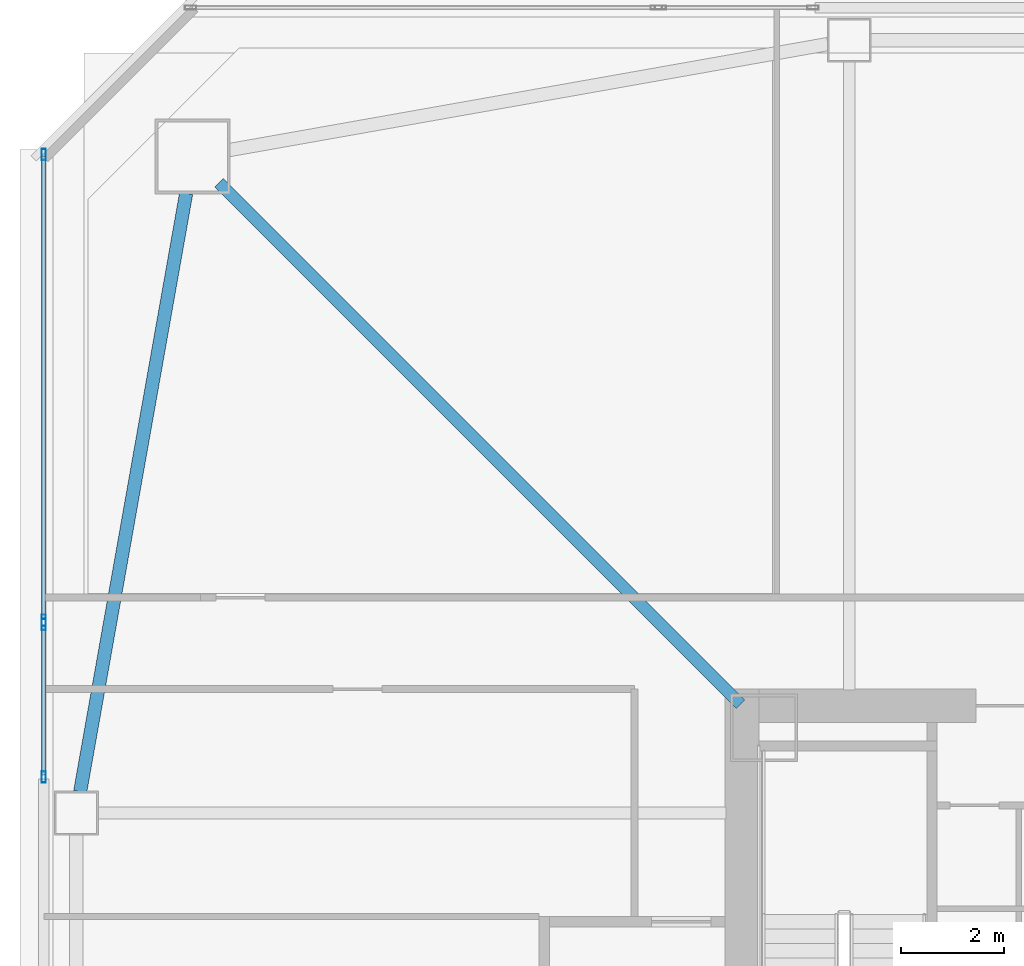
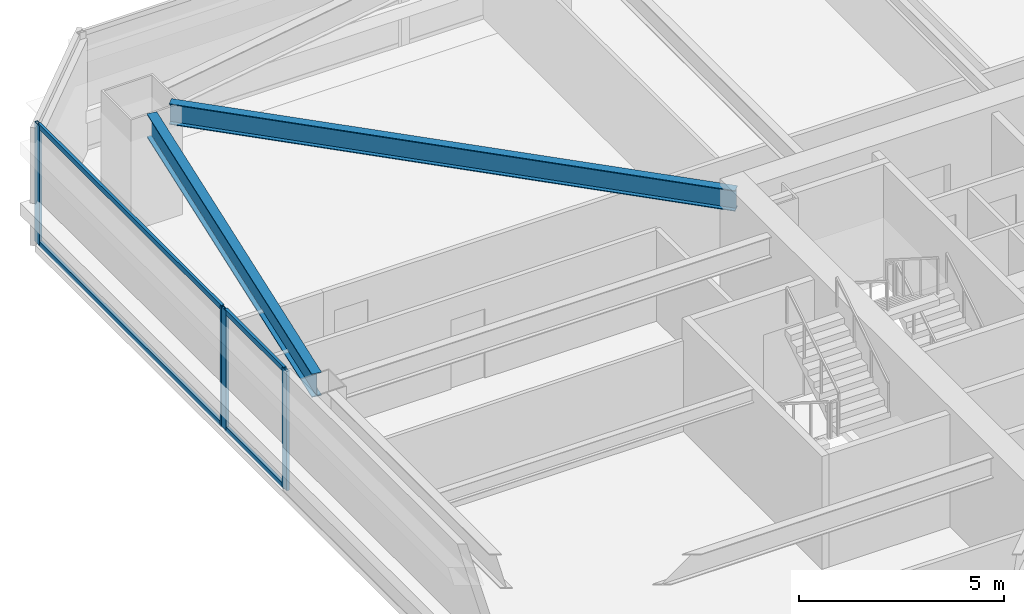
# One storey, part 11 of 44: 8 members, 2 beams, 2 elements without a shape of their own.
"""IFC4 building model written with IfcOpenShell, lengths in metres."""

from ifc_helpers import new_model, si_unit, direction, frame, origin, origin_2d, place, context, subcontext, project, spatial, hollow_rectangle, i_section, extrude, material, material_profile, profile_set, type_object, element, aggregate, save


model = new_model("IFC4")

# Units and contexts
model_context = context("Model", 3, precision=1e-05, world=origin(), true_north=direction((0.0, 1.0)))
body_context = subcontext(model_context, "Body", "Model", "MODEL_VIEW")
ifc_project = project(units=[si_unit("LENGTHUNIT", "METRE"), si_unit("AREAUNIT", "SQUARE_METRE"), si_unit("VOLUMEUNIT", "CUBIC_METRE"), si_unit("PLANEANGLEUNIT", "RADIAN"), si_unit("MASSUNIT", "GRAM", prefix="KILO")], contexts=[model_context])

# Site, building, storey
site_placement = place(None, origin())
site = spatial("IfcSite", under=ifc_project, at=site_placement, CompositionType="ELEMENT")
building_placement = place(site_placement, origin())
building = spatial("IfcBuilding", under=site, at=building_placement, Name="Tashvorn Skyway Center", CompositionType="ELEMENT")
storey_placement = place(building_placement, frame((0.0, 0.0, 102.699951171875)))
storey = spatial("IfcBuildingStorey", under=building, at=storey_placement, Name="L27", CompositionType="ELEMENT", Elevation=102.699951171875)

# Beams
ifc_material_1 = material(Name="Steel ASTM A992 Grade 50", Category="steel")
ifc_material_profile_1 = material_profile(ifc_material_1, i_section(OverallWidth=0.22998046875, OverallDepth=0.616943359375, WebThickness=0.01318359375, FlangeThickness=0.022216796875, at=origin_2d()), Name="W24X94")
ifc_profile_set_1 = profile_set([ifc_material_profile_1], Name="Steel ASTM A992 Grade 50")
beam_type_1 = type_object("IfcBeamType", Name="BM-BEAM-W24X94", PredefinedType="BEAM", material=ifc_profile_set_1)
beam_1_placement = place(storey_placement, frame((24.4091796875, 49.5908203125, 3.04150390625), z_axis=(0.707106781187, -0.707106781187, 0.0), x_axis=(0.707106781187, 0.707106781187, 0.0)))
element("IfcBeam", 1, at=beam_1_placement, inside=storey, type_object=beam_type_1, Name="Tower 1 L27 Primary Floor Girder MC-NW", PredefinedType="BEAM", context=body_context, shape_type="SweptSolid", body=[
    extrude(i_section(OverallWidth=0.22998046875, OverallDepth=0.616943359375, WebThickness=0.01318359375, FlangeThickness=0.022216796875, at=origin_2d()), origin(), (0.0, 0.0, 1.0), 14.261962890625),
])
ifc_material_profile_2 = material_profile(ifc_material_1, i_section(OverallWidth=0.256103515625, OverallDepth=0.693115234375, WebThickness=0.014404296875, FlangeThickness=0.023681640625, at=origin_2d()), Name="W27X114")
ifc_profile_set_2 = profile_set([ifc_material_profile_2], Name="Steel ASTM A992 Grade 50")
beam_type_2 = type_object("IfcBeamType", Name="BM-SPANDREL-W27X114", PredefinedType="SPANDREL", material=ifc_profile_set_2)
beam_2_placement = place(storey_placement, frame((23.7744140625, 49.39111328125, 3.003662109375), z_axis=(-0.174437966698, -0.98466816531, 0.0), x_axis=(0.98466816531, -0.174437966698, 0.0)))
element("IfcBeam", 2, at=beam_2_placement, inside=storey, type_object=beam_type_2, Name="Tower 1 L27 Spandrel Beam 10", PredefinedType="SPANDREL", context=body_context, shape_type="SweptSolid", body=[
    extrude(i_section(OverallWidth=0.256103515625, OverallDepth=0.693115234375, WebThickness=0.014404296875, FlangeThickness=0.023681640625, at=origin_2d()), origin(), (0.0, 0.0, 1.0), 11.7578125),
])

# Curtain wall, members
ifc_material_2 = material(Name="Thermally broken bronze-anodized aluminium 6063-T6", Category="aluminium")
curtain_wall_type = type_object("IfcCurtainWallType", Name="CW-CW-Z2", PredefinedType="NOTDEFINED", material=ifc_material_2)
curtain_wall_1_placement = place(storey_placement, origin())
curtain_wall_1 = element("IfcCurtainWall", 3, at=curtain_wall_1_placement, inside=storey, type_object=curtain_wall_type, Name="Tower 1 L27 West Unitised Curtain Wall Glazing Group 3", PredefinedType="NOTDEFINED")
ifc_material_profile_3 = material_profile(ifc_material_2, hollow_rectangle(XDim=0.080078125, YDim=0.219970703125, WallThickness=0.0048828125, at=origin_2d()), Name="ALU-MULL-80x220")
ifc_profile_set_3 = profile_set([ifc_material_profile_3], Name="Thermally broken bronze-anodized aluminium 6063-T6")
member_type_1 = type_object("IfcMemberType", Name="CWM-CW-Z2", PredefinedType="MULLION", material=ifc_profile_set_3)
member_1_placement = place(storey_placement, frame((21.02001953125, 38.10009765625, 0.0), z_axis=(0.0, 0.0, 1.0), x_axis=(-1.0, 0.0, 0.0)))
member_1 = element("IfcMember", 4, at=member_1_placement, type_object=member_type_1, Name="CW-Z2 mullion 1", PredefinedType="MULLION", context=body_context, shape_type="SweptSolid", body=[
    extrude(hollow_rectangle(XDim=0.080078125, YDim=0.219970703125, WallThickness=0.0048828125, at=origin_2d()), origin(), (0.0, 0.0, 1.0), 3.550048828125),
])
member_2_placement = place(storey_placement, frame((21.02001953125, 41.050048828125, 0.0), z_axis=(0.0, 0.0, 1.0), x_axis=(-1.0, 0.0, 0.0)))
member_2 = element("IfcMember", 5, at=member_2_placement, type_object=member_type_1, Name="CW-Z2 mullion 2", PredefinedType="MULLION", context=body_context, shape_type="SweptSolid", body=[
    extrude(hollow_rectangle(XDim=0.080078125, YDim=0.219970703125, WallThickness=0.0048828125, at=origin_2d()), origin(), (0.0, 0.0, 1.0), 3.550048828125),
])

curtain_wall_2_placement = place(storey_placement, origin())
curtain_wall_2 = element("IfcCurtainWall", 6, at=curtain_wall_2_placement, inside=storey, type_object=curtain_wall_type, Name="Tower 1 L27 West Unitised Curtain Wall Glazing Group 4", PredefinedType="NOTDEFINED")
member_3_placement = place(storey_placement, frame((21.02001953125, 41.1298828125, 0.0), z_axis=(0.0, 0.0, 1.0), x_axis=(-1.0, 0.0, 0.0)))
member_3 = element("IfcMember", 7, at=member_3_placement, type_object=member_type_1, Name="CW-Z2 mullion 1", PredefinedType="MULLION", context=body_context, shape_type="SweptSolid", body=[
    extrude(hollow_rectangle(XDim=0.080078125, YDim=0.219970703125, WallThickness=0.0048828125, at=origin_2d()), origin(), (0.0, 0.0, 1.0), 3.550048828125),
])
member_4_placement = place(storey_placement, frame((21.02001953125, 50.139892578125, 0.0), z_axis=(0.0, 0.0, 1.0), x_axis=(-1.0, 0.0, 0.0)))
member_4 = element("IfcMember", 8, at=member_4_placement, type_object=member_type_1, Name="CW-Z2 mullion 2", PredefinedType="MULLION", context=body_context, shape_type="SweptSolid", body=[
    extrude(hollow_rectangle(XDim=0.080078125, YDim=0.219970703125, WallThickness=0.0048828125, at=origin_2d()), origin(), (0.0, 0.0, 1.0), 3.550048828125),
])

# Member
ifc_material_profile_4 = material_profile(ifc_material_2, hollow_rectangle(XDim=0.080078125, YDim=0.14990234375, WallThickness=0.00439453125, at=origin_2d()), Name="ALU-TRAN-80x150")
ifc_profile_set_4 = profile_set([ifc_material_profile_4], Name="Thermally broken bronze-anodized aluminium 6063-T6")
member_type_2 = type_object("IfcMemberType", Name="CWT-CW-Z2", PredefinedType="USERDEFINED", material=ifc_profile_set_4)
member_5_placement = place(storey_placement, frame((21.02001953125, 38.139892578125, 0.0400390625), z_axis=(0.0, 1.0, 0.0), x_axis=(-1.0, 0.0, 0.0)))
member_5 = element("IfcMember", 9, at=member_5_placement, type_object=member_type_2, Name="CW-Z2 transom 1.1", ObjectType="TRANSOM", PredefinedType="USERDEFINED", context=body_context, shape_type="SweptSolid", body=[
    extrude(hollow_rectangle(XDim=0.080078125, YDim=0.14990234375, WallThickness=0.00439453125, at=origin_2d()), origin(), (0.0, 0.0, 1.0), 2.8701171875),
])

member_6_placement = place(storey_placement, frame((21.02001953125, 38.139892578125, 3.510009765625), z_axis=(0.0, 1.0, 0.0), x_axis=(-1.0, 0.0, 0.0)))
member_6 = element("IfcMember", 10, at=member_6_placement, type_object=member_type_2, Name="CW-Z2 transom 1.2", ObjectType="TRANSOM", PredefinedType="USERDEFINED", context=body_context, shape_type="SweptSolid", body=[
    extrude(hollow_rectangle(XDim=0.080078125, YDim=0.14990234375, WallThickness=0.00439453125, at=origin_2d()), origin(), (0.0, 0.0, 1.0), 2.8701171875),
])

aggregate(curtain_wall_1, [member_1, member_2, member_5, member_6])

member_7_placement = place(storey_placement, frame((21.02001953125, 41.169921875, 0.0400390625), z_axis=(0.0, 1.0, 0.0), x_axis=(-1.0, 0.0, 0.0)))
member_7 = element("IfcMember", 11, at=member_7_placement, type_object=member_type_2, Name="CW-Z2 transom 1.1", ObjectType="TRANSOM", PredefinedType="USERDEFINED", context=body_context, shape_type="SweptSolid", body=[
    extrude(hollow_rectangle(XDim=0.080078125, YDim=0.14990234375, WallThickness=0.00439453125, at=origin_2d()), origin(), (0.0, 0.0, 1.0), 8.93017578125),
])

member_8_placement = place(storey_placement, frame((21.02001953125, 41.169921875, 3.510009765625), z_axis=(0.0, 1.0, 0.0), x_axis=(-1.0, 0.0, 0.0)))
member_8 = element("IfcMember", 12, at=member_8_placement, type_object=member_type_2, Name="CW-Z2 transom 1.2", ObjectType="TRANSOM", PredefinedType="USERDEFINED", context=body_context, shape_type="SweptSolid", body=[
    extrude(hollow_rectangle(XDim=0.080078125, YDim=0.14990234375, WallThickness=0.00439453125, at=origin_2d()), origin(), (0.0, 0.0, 1.0), 8.93017578125),
])

aggregate(curtain_wall_2, [member_3, member_4, member_7, member_8])

save(model, "model.ifc")
